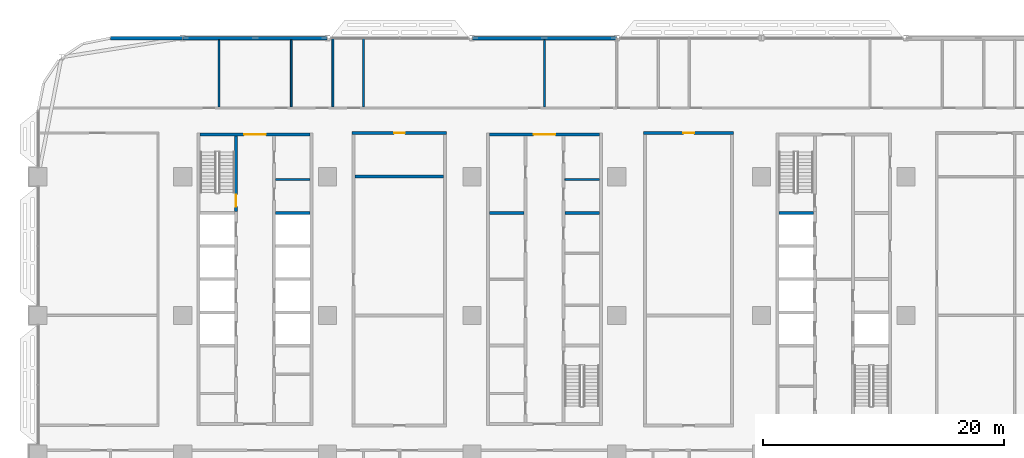
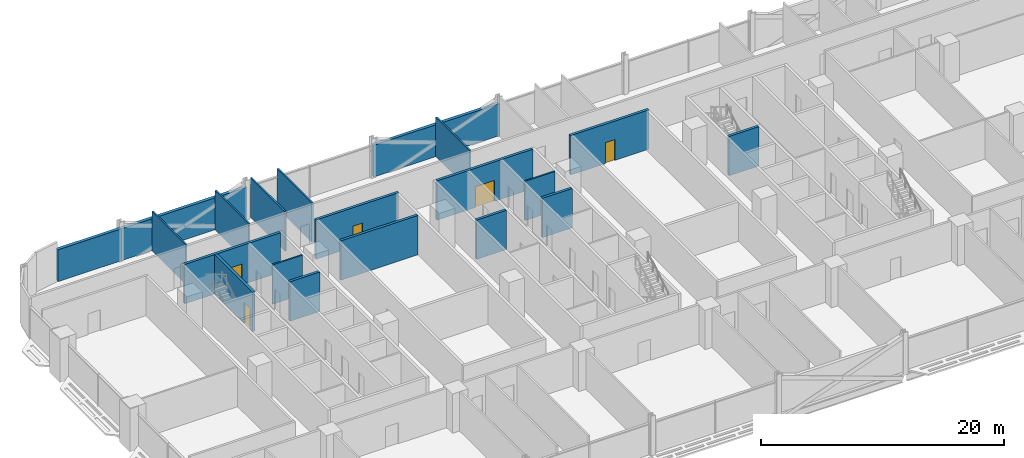
# One storey, part 14 of 29: 20 walls, 5 doors, 5 openings.
"""IFC4 building model written with IfcOpenShell, lengths in metres."""

from ifc_helpers import new_model, si_unit, direction, frame, frame_2d, origin, place, context, subcontext, project, spatial, rectangle, extrude, material, layer, layer_set, type_object, element, fill, save


model = new_model("IFC4")

# Units and contexts
model_context = context("Model", 3, precision=1e-05, world=origin(), true_north=direction((0.0, 1.0)))
body_context = subcontext(model_context, "Body", "Model", "MODEL_VIEW")
ifc_project = project(units=[si_unit("LENGTHUNIT", "METRE"), si_unit("AREAUNIT", "SQUARE_METRE"), si_unit("VOLUMEUNIT", "CUBIC_METRE"), si_unit("PLANEANGLEUNIT", "RADIAN"), si_unit("MASSUNIT", "GRAM", prefix="KILO")], contexts=[model_context])

# Site, building, storey
site_placement = place(None, origin())
site = spatial("IfcSite", under=ifc_project, at=site_placement, CompositionType="ELEMENT")
building_placement = place(site_placement, origin())
building = spatial("IfcBuilding", under=site, at=building_placement, Name="Mahtab Terrace Research Tower", CompositionType="ELEMENT")
storey_placement = place(building_placement, frame((0.0, 0.0, 67.5)))
storey = spatial("IfcBuildingStorey", under=building, at=storey_placement, Name="L15", CompositionType="ELEMENT", Elevation=67.5)

# Walls
ifc_material_1 = material(Name="Gypsum board partition")
ifc_layer_1 = layer(ifc_material_1, 0.14990234375)
ifc_layer_set_1 = layer_set([ifc_layer_1], Name="Core partition 150")
wall_type_1 = type_object("IfcWallType", Name="Core partition 150", PredefinedType="PARTITIONING", material=ifc_layer_set_1)
for number, where, z_axis, x_axis, name in (
    (1, (-22.300048828125, 11.27490234375, 0.0), (0.0, 0.0, 1.0), (1.0, 0.0, 0.0), "Core wall A pEN828"),
    (2, (1.699951171875, 11.27490234375, 0.0), (0.0, 0.0, 1.0), (1.0, 0.0, 0.0), "Core wall B pEN828"),
):
    element("IfcWall", number, at=place(storey_placement, frame(where, z_axis=z_axis, x_axis=x_axis)), inside=storey, type_object=wall_type_1, Name=name, PredefinedType="PARTITIONING", context=body_context, shape_type="SweptSolid", body=[
        extrude(rectangle(XDim=2.85009765625, YDim=0.14990234375, at=frame_2d((1.425048828125, 0.0))), origin(), (0.0, 0.0, 1.0), 3.9599609375),
    ])

# Wall, opening, door
ifc_material_2 = material(Name="Concrete C70/85", Category="concrete")
ifc_layer_2 = layer(ifc_material_2, 0.25)
ifc_layer_set_2 = layer_set([ifc_layer_2], Name="Core wall 250")
wall_type_2 = type_object("IfcWallType", Name="Core wall 250", PredefinedType="SOLIDWALL", material=ifc_layer_set_2)
wall_1_placement = place(storey_placement, frame((-28.550048828125, 15.0, 0.0), z_axis=(0.0, 0.0, 1.0), x_axis=(1.0, 0.0, 0.0)))
wall_1 = element("IfcWall", 3, at=wall_1_placement, inside=storey, type_object=wall_type_2, Name="Core wall A endN", PredefinedType="SOLIDWALL", context=body_context, shape_type="SweptSolid", body=[
    extrude(rectangle(XDim=9.10009765625, YDim=0.25, at=frame_2d((4.550048828125, 0.0))), origin(), (0.0, 0.0, 1.0), 3.9599609375),
])
opening_1_placement = place(wall_1_placement, frame((3.64990234375, 0.0, 0.0)))
opening_1 = element("IfcOpeningElement", 4, at=opening_1_placement, cuts=wall_1, Name="Opening A-N1", PredefinedType="OPENING", context=body_context, shape_type="SweptSolid", body=[
    extrude(rectangle(XDim=1.800048828125, YDim=2.10009765625, at=frame_2d((0.89990234375, 1.050048828125))), frame((0.0, 0.135009765625, 0.0), z_axis=(0.0, -1.0, 0.0), x_axis=(1.0, 0.0, 0.0)), (0.0, 0.0, 1.0), 0.27001953125),
])
ifc_material_3 = material(Name="Steel fire door", Category="steel")
door_type_1 = type_object("IfcDoorType", Name="Lobby double door 1800x2100 1 HR", OperationType="DOUBLE_DOOR_SINGLE_SWING", PredefinedType="DOOR", material=ifc_material_3)
door_1_placement = place(opening_1_placement, origin())
door_1 = element("IfcDoor", 5, at=door_1_placement, inside=storey, type_object=door_type_1, Name="Core entrance door A N", OperationType="DOUBLE_DOOR_SINGLE_SWING", OverallHeight=2.10009765625, OverallWidth=1.800048828125, PredefinedType="DOOR", context=body_context, shape_type="SweptSolid", body=[
    extrude(rectangle(XDim=1.800048828125, YDim=2.10009765625, at=frame_2d((0.89990234375, 1.050048828125))), frame((0.0, 0.02490234375, 0.0), z_axis=(0.0, -1.0, 0.0), x_axis=(1.0, 0.0, 0.0)), (0.0, 0.0, 1.0), 0.050048828125),
])
fill(opening_1, door_1)

wall_2_placement = place(storey_placement, frame((-25.574951171875, 14.875, 0.0), z_axis=(0.0, 0.0, 1.0), x_axis=(0.0, -1.0, 0.0)))
wall_2 = element("IfcWall", 6, at=wall_2_placement, inside=storey, type_object=wall_type_2, Name="Core wall A innerWN", PredefinedType="SOLIDWALL", context=body_context, shape_type="SweptSolid", body=[
    extrude(rectangle(XDim=6.25, YDim=0.25, at=frame_2d((3.125, 0.0))), origin(), (0.0, 0.0, 1.0), 3.9599609375),
])
opening_2_placement = place(wall_2_placement, frame((4.85009765625, 0.0, 0.0)))
opening_2 = element("IfcOpeningElement", 7, at=opening_2_placement, cuts=wall_2, Name="Opening A-ST1", PredefinedType="OPENING", context=body_context, shape_type="SweptSolid", body=[
    extrude(rectangle(XDim=1.0, YDim=2.10009765625, at=frame_2d((0.5, 1.050048828125))), frame((0.0, 0.135009765625, 0.0), z_axis=(0.0, -1.0, 0.0), x_axis=(1.0, 0.0, 0.0)), (0.0, 0.0, 1.0), 0.27001953125),
])
door_type_2 = type_object("IfcDoorType", Name="Stair door 1000x2100 1.5 HR", OperationType="NOTDEFINED", PredefinedType="DOOR", material=ifc_material_3)
door_2_placement = place(opening_2_placement, origin())
door_2 = element("IfcDoor", 8, at=door_2_placement, inside=storey, type_object=door_type_2, Name="Stair door ST1 L15", OperationType="SINGLE_SWING_LEFT", OverallHeight=2.10009765625, OverallWidth=1.0, PredefinedType="DOOR", context=body_context, shape_type="SweptSolid", body=[
    extrude(rectangle(XDim=1.0, YDim=2.10009765625, at=frame_2d((0.5, 1.050048828125))), frame((0.0, 0.02490234375, 0.0), z_axis=(0.0, -1.0, 0.0), x_axis=(1.0, 0.0, 0.0)), (0.0, 0.0, 1.0), 0.050048828125),
])
fill(opening_2, door_2)

# Wall
wall_3_placement = place(storey_placement, frame((-22.300048828125, 8.5, 0.0), z_axis=(0.0, 0.0, 1.0), x_axis=(1.0, 0.0, 0.0)))
element("IfcWall", 9, at=wall_3_placement, inside=storey, type_object=wall_type_2, Name="Core wall A divE4", PredefinedType="SOLIDWALL", context=body_context, shape_type="SweptSolid", body=[
    extrude(rectangle(XDim=2.85009765625, YDim=0.25, at=frame_2d((1.425048828125, 0.0))), origin(), (0.0, 0.0, 1.0), 3.9599609375),
])

# Wall, opening, door
wall_4_placement = place(storey_placement, frame((-4.550048828125, 15.0, 0.0), z_axis=(0.0, 0.0, 1.0), x_axis=(1.0, 0.0, 0.0)))
wall_4 = element("IfcWall", 10, at=wall_4_placement, inside=storey, type_object=wall_type_2, Name="Core wall B endN", PredefinedType="SOLIDWALL", context=body_context, shape_type="SweptSolid", body=[
    extrude(rectangle(XDim=9.10009765625, YDim=0.25, at=frame_2d((4.550048828125, 0.0))), origin(), (0.0, 0.0, 1.0), 3.9599609375),
])
opening_3_placement = place(wall_4_placement, frame((3.64990234375, 0.0, 0.0)))
opening_3 = element("IfcOpeningElement", 11, at=opening_3_placement, cuts=wall_4, Name="Opening B-N1", PredefinedType="OPENING", context=body_context, shape_type="SweptSolid", body=[
    extrude(rectangle(XDim=1.800048828125, YDim=2.10009765625, at=frame_2d((0.89990234375, 1.050048828125))), frame((0.0, 0.135009765625, 0.0), z_axis=(0.0, -1.0, 0.0), x_axis=(1.0, 0.0, 0.0)), (0.0, 0.0, 1.0), 0.27001953125),
])
door_3_placement = place(opening_3_placement, origin())
door_3 = element("IfcDoor", 12, at=door_3_placement, inside=storey, type_object=door_type_1, Name="Core entrance door B N", OperationType="DOUBLE_DOOR_SINGLE_SWING", OverallHeight=2.10009765625, OverallWidth=1.800048828125, PredefinedType="DOOR", context=body_context, shape_type="SweptSolid", body=[
    extrude(rectangle(XDim=1.800048828125, YDim=2.10009765625, at=frame_2d((0.89990234375, 1.050048828125))), frame((0.0, 0.02490234375, 0.0), z_axis=(0.0, -1.0, 0.0), x_axis=(1.0, 0.0, 0.0)), (0.0, 0.0, 1.0), 0.050048828125),
])
fill(opening_3, door_3)

# Walls
for number, where, z_axis, x_axis, name in (
    (13, (-4.550048828125, 8.5, 0.0), (0.0, 0.0, 1.0), (1.0, 0.0, 0.0), "Core wall B divW4"),
    (14, (1.699951171875, 8.5, 0.0), (0.0, 0.0, 1.0), (1.0, 0.0, 0.0), "Core wall B divE4"),
    (15, (19.449951171875, 8.5, 0.0), (0.0, 0.0, 1.0), (1.0, 0.0, 0.0), "Core wall C divW4"),
):
    element("IfcWall", number, at=place(storey_placement, frame(where, z_axis=z_axis, x_axis=x_axis)), inside=storey, type_object=wall_type_2, Name=name, PredefinedType="SOLIDWALL", context=body_context, shape_type="SweptSolid", body=[
        extrude(rectangle(XDim=2.85009765625, YDim=0.25, at=frame_2d((1.425048828125, 0.0))), origin(), (0.0, 0.0, 1.0), 3.9599609375),
    ])
ifc_material_4 = material(Name="Black aluminium cladding panel", Category="aluminium")
ifc_layer_3 = layer(ifc_material_4, 0.300048828125)
ifc_layer_set_3 = layer_set([ifc_layer_3], Name="Opaque facade wall 300")
wall_type_3 = type_object("IfcWallType", Name="Opaque facade wall 300", PredefinedType="NOTDEFINED", material=ifc_layer_set_3)
for number, where, z_axis, x_axis, name in (
    (16, (5.97607421875, 23.0, 0.0), (0.0, 0.0, 1.0), (-1.0, 0.0, 0.0), "Opaque facade wall L15 N7"),
    (17, (-18.02392578125, 23.0, 0.0), (0.0, 0.0, 1.0), (-1.0, 0.0, 0.0), "Opaque facade wall L15 N9"),
):
    element("IfcWall", number, at=place(storey_placement, frame(where, z_axis=z_axis, x_axis=x_axis)), inside=storey, type_object=wall_type_3, Name=name, PredefinedType="NOTDEFINED", context=body_context, shape_type="SweptSolid", body=[
        extrude(rectangle(XDim=11.9521484375, YDim=0.300048828125, at=frame_2d((5.97607421875, 0.0))), origin(), (0.0, 0.0, 1.0), 3.203125),
    ])
wall_5_placement = place(storey_placement, frame((-30.02392578125, 23.0, 0.0), z_axis=(0.0, 0.0, 1.0), x_axis=(-1.0, 0.0, 0.0)))
element("IfcWall", 18, at=wall_5_placement, inside=storey, type_object=wall_type_3, Name="Opaque facade wall L15 N10", PredefinedType="NOTDEFINED", context=body_context, shape_type="SweptSolid", body=[
    extrude(rectangle(XDim=5.97607421875, YDim=0.300048828125, at=frame_2d((2.988037109375, 0.0))), origin(), (0.0, 0.0, 1.0), 3.203125),
])
ifc_material_5 = material(Name="Masonry control area wall", Category="masonry")
ifc_layer_4 = layer(ifc_material_5, 0.25)
ifc_layer_set_4 = layer_set([ifc_layer_4], Name="WALL CONTROL AREA 250")
wall_type_4 = type_object("IfcWallType", Name="WALL CONTROL AREA 250", PredefinedType="PARTITIONING", material=ifc_layer_set_4)
wall_6_placement = place(storey_placement, frame((-15.72509765625, 11.5, 0.0), z_axis=(0.0, 0.0, 1.0), x_axis=(1.0, 0.0, 0.0)))
element("IfcWall", 19, at=wall_6_placement, inside=storey, type_object=wall_type_4, Name="L15-W018", PredefinedType="PARTITIONING", context=body_context, shape_type="SweptSolid", body=[
    extrude(rectangle(XDim=7.35009765625, YDim=0.25, at=frame_2d((3.675048828125, 0.0))), origin(), (0.0, 0.0, 1.0), 3.9599609375),
])

# Wall, opening, door
wall_7_placement = place(storey_placement, frame((-15.97509765625, 15.125, 0.0), z_axis=(0.0, 0.0, 1.0), x_axis=(1.0, 0.0, 0.0)))
wall_7 = element("IfcWall", 20, at=wall_7_placement, inside=storey, type_object=wall_type_4, Name="L15-W022", PredefinedType="PARTITIONING", context=body_context, shape_type="SweptSolid", body=[
    extrude(rectangle(XDim=7.85009765625, YDim=0.25, at=frame_2d((3.925048828125, 0.0))), origin(), (0.0, 0.0, 1.0), 3.9599609375),
])
opening_4_placement = place(wall_7_placement, frame((3.5, 0.0, 0.0)))
opening_4 = element("IfcOpeningElement", 21, at=opening_4_placement, cuts=wall_7, Name="Opening L15-126", PredefinedType="OPENING", context=body_context, shape_type="SweptSolid", body=[
    extrude(rectangle(XDim=0.89990234375, YDim=2.10009765625, at=frame_2d((0.449951171875, 1.050048828125))), frame((0.0, 0.135009765625, 0.0), z_axis=(0.0, -1.0, 0.0), x_axis=(1.0, 0.0, 0.0)), (0.0, 0.0, 1.0), 0.27001953125),
])
ifc_material_6 = material(Name="Timber door leaf in steel frame", Category="steel")
door_type_3 = type_object("IfcDoorType", Name="DOOR 0900X2100 FD120", OperationType="SINGLE_SWING_LEFT", PredefinedType="DOOR", material=ifc_material_6)
door_4_placement = place(opening_4_placement, origin())
door_4 = element("IfcDoor", 22, at=door_4_placement, inside=storey, type_object=door_type_3, Name="Door L15-126", OperationType="SINGLE_SWING_LEFT", OverallHeight=2.10009765625, OverallWidth=0.89990234375, PredefinedType="DOOR", context=body_context, shape_type="SweptSolid", body=[
    extrude(rectangle(XDim=0.89990234375, YDim=2.10009765625, at=frame_2d((0.449951171875, 1.050048828125))), frame((0.0, 0.02490234375, 0.0), z_axis=(0.0, -1.0, 0.0), x_axis=(1.0, 0.0, 0.0)), (0.0, 0.0, 1.0), 0.050048828125),
])
fill(opening_4, door_4)

wall_8_placement = place(storey_placement, frame((8.22509765625, 15.125, 0.0), z_axis=(0.0, 0.0, 1.0), x_axis=(1.0, 0.0, 0.0)))
wall_8 = element("IfcWall", 23, at=wall_8_placement, inside=storey, type_object=wall_type_4, Name="L15-W023", PredefinedType="PARTITIONING", context=body_context, shape_type="SweptSolid", body=[
    extrude(rectangle(XDim=7.449951171875, YDim=0.25, at=frame_2d((3.72509765625, 0.0))), origin(), (0.0, 0.0, 1.0), 3.9599609375),
])
opening_5_placement = place(wall_8_placement, frame((3.300048828125, 0.0, 0.0)))
opening_5 = element("IfcOpeningElement", 24, at=opening_5_placement, cuts=wall_8, Name="Opening L15-125", PredefinedType="OPENING", context=body_context, shape_type="SweptSolid", body=[
    extrude(rectangle(XDim=0.89990234375, YDim=2.10009765625, at=frame_2d((0.449951171875, 1.050048828125))), frame((0.0, 0.135009765625, 0.0), z_axis=(0.0, -1.0, 0.0), x_axis=(1.0, 0.0, 0.0)), (0.0, 0.0, 1.0), 0.27001953125),
])
door_5_placement = place(opening_5_placement, origin())
door_5 = element("IfcDoor", 25, at=door_5_placement, inside=storey, type_object=door_type_3, Name="Door L15-125", OperationType="SINGLE_SWING_LEFT", OverallHeight=2.10009765625, OverallWidth=0.89990234375, PredefinedType="DOOR", context=body_context, shape_type="SweptSolid", body=[
    extrude(rectangle(XDim=0.89990234375, YDim=2.10009765625, at=frame_2d((0.449951171875, 1.050048828125))), frame((0.0, 0.02490234375, 0.0), z_axis=(0.0, -1.0, 0.0), x_axis=(1.0, 0.0, 0.0)), (0.0, 0.0, 1.0), 0.050048828125),
])
fill(opening_5, door_5)

# Walls
ifc_material_7 = material(Name="Gypsum board partition on steel studs", Category="steel")
ifc_layer_5 = layer(ifc_material_7, 0.14990234375)
ifc_layer_set_5 = layer_set([ifc_layer_5], Name="WALL PARTITION 150")
wall_type_5 = type_object("IfcWallType", Name="WALL PARTITION 150", PredefinedType="PARTITIONING", material=ifc_layer_set_5)
for number, where, z_axis, x_axis, name in (
    (26, (-27.0, 17.300048828125, 0.0), (0.0, 0.0, 1.0), (0.0, 1.0, 0.0), "L15-W029"),
    (27, (-21.0, 17.300048828125, 0.0), (0.0, 0.0, 1.0), (0.0, 1.0, 0.0), "L15-W030"),
):
    element("IfcWall", number, at=place(storey_placement, frame(where, z_axis=z_axis, x_axis=x_axis)), inside=storey, type_object=wall_type_5, Name=name, PredefinedType="PARTITIONING", context=body_context, shape_type="SweptSolid", body=[
        extrude(rectangle(XDim=5.550048828125, YDim=0.14990234375, at=frame_2d((2.77490234375, 0.0))), origin(), (0.0, 0.0, 1.0), 3.9599609375),
    ])
for number, where, z_axis, x_axis, name in (
    (28, (-17.550048828125, 17.300048828125, 0.0), (0.0, 0.0, 1.0), (0.0, 1.0, 0.0), "L15-W032"),
    (29, (-15.0, 17.300048828125, 0.0), (0.0, 0.0, 1.0), (0.0, 1.0, 0.0), "L15-W035"),
):
    element("IfcWall", number, at=place(storey_placement, frame(where, z_axis=z_axis, x_axis=x_axis)), inside=storey, type_object=wall_type_5, Name=name, PredefinedType="PARTITIONING", context=body_context, shape_type="SweptSolid", body=[
        extrude(rectangle(XDim=5.675048828125, YDim=0.14990234375, at=frame_2d((2.83740234375, 0.0))), origin(), (0.0, 0.0, 1.0), 3.9599609375),
    ])
wall_9_placement = place(storey_placement, frame((0.0, 17.300048828125, 0.0), z_axis=(0.0, 0.0, 1.0), x_axis=(0.0, 1.0, 0.0)))
element("IfcWall", 30, at=wall_9_placement, inside=storey, type_object=wall_type_5, Name="L15-W039", PredefinedType="PARTITIONING", context=body_context, shape_type="SweptSolid", body=[
    extrude(rectangle(XDim=5.550048828125, YDim=0.14990234375, at=frame_2d((2.77490234375, 0.0))), origin(), (0.0, 0.0, 1.0), 3.9599609375),
])

save(model, "model.ifc")
